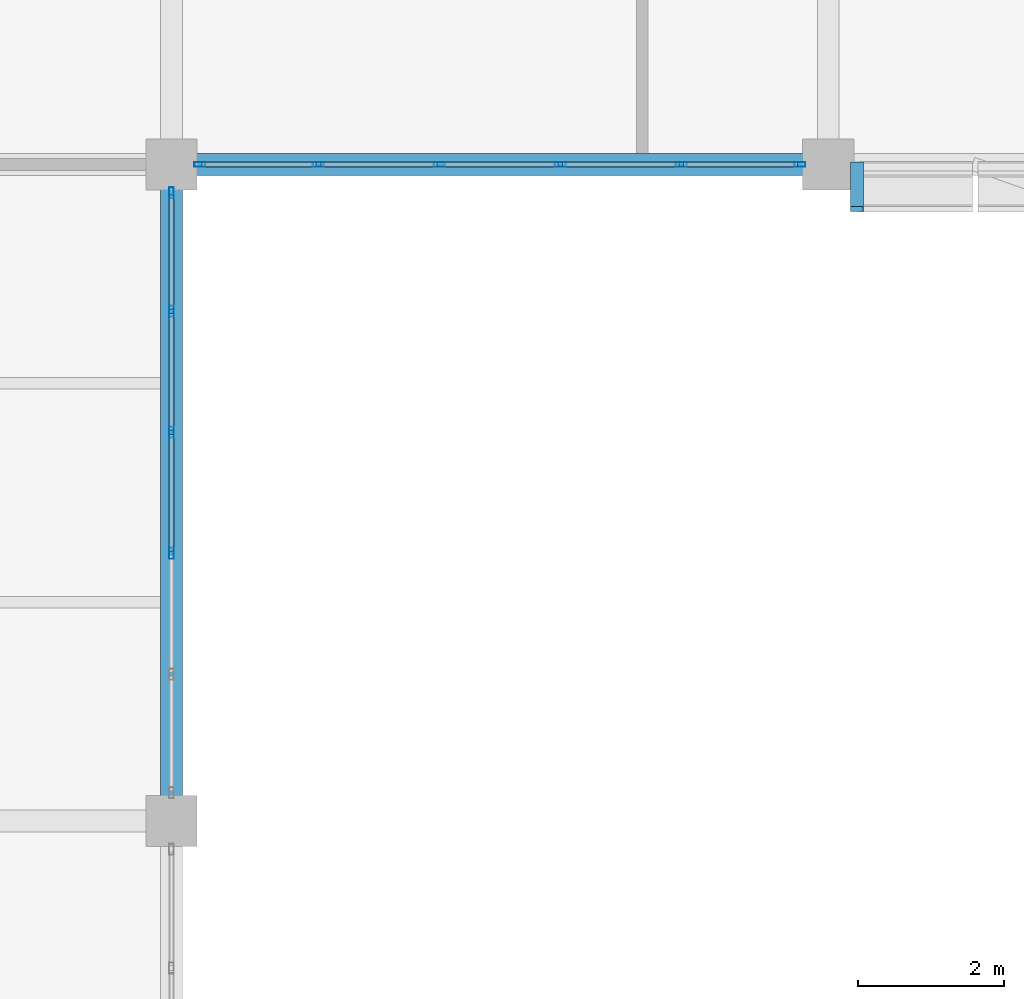
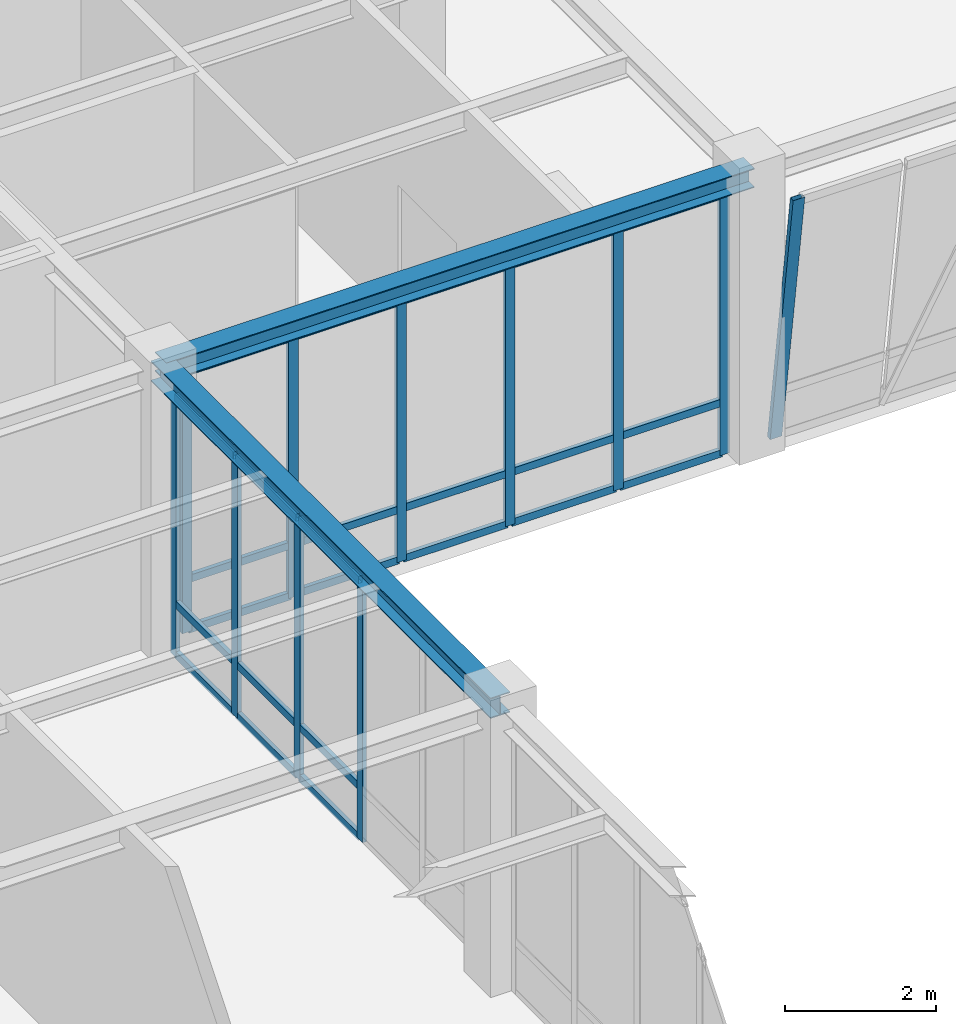
# One storey, part 25 of 98: 35 members, 2 beams, 3 elements without a shape of their own.
"""IFC4 building model written with IfcOpenShell, lengths in metres."""

from ifc_helpers import new_model, si_unit, direction, frame, origin, origin_2d, place, context, subcontext, project, spatial, hollow_rectangle, i_section, extrude, material, material_profile, profile_set, type_object, element, aggregate, save


model = new_model("IFC4")

# Units and contexts
model_context = context("Model", 3, precision=1e-05, world=origin(), true_north=direction((0.0, 1.0)))
body_context = subcontext(model_context, "Body", "Model", "MODEL_VIEW")
ifc_project = project(units=[si_unit("LENGTHUNIT", "METRE"), si_unit("AREAUNIT", "SQUARE_METRE"), si_unit("VOLUMEUNIT", "CUBIC_METRE"), si_unit("PLANEANGLEUNIT", "RADIAN"), si_unit("MASSUNIT", "GRAM", prefix="KILO")], contexts=[model_context])

# Site, building, storey
site_placement = place(None, origin())
site = spatial("IfcSite", under=ifc_project, at=site_placement, CompositionType="ELEMENT")
building_placement = place(site_placement, origin())
building = spatial("IfcBuilding", under=site, at=building_placement, Name="Lykobir Media Centre", CompositionType="ELEMENT")
storey_placement = place(building_placement, frame((0.0, 0.0, 10.199951171875)))
storey = spatial("IfcBuildingStorey", under=building, at=storey_placement, Name="L02", CompositionType="ELEMENT", Elevation=10.199951171875)

# Beam
ifc_material_1 = material(Name="Steel S355", Category="steel")
ifc_material_profile_1 = material_profile(ifc_material_1, i_section(OverallWidth=0.300048828125, OverallDepth=0.330078125, WebThickness=0.009521484375, FlangeThickness=0.0166015625, at=origin_2d()), Name="HEA 340")
ifc_profile_set_1 = profile_set([ifc_material_profile_1], Name="Steel S355")
beam_type_1 = type_object("IfcBeamType", Name="BM-HEA340", PredefinedType="BEAM", material=ifc_profile_set_1)
beam_1_placement = place(storey_placement, frame((36.0, 54.0, 4.39501953125), z_axis=(0.0, 1.0, 0.0), x_axis=(-1.0, 0.0, 0.0)))
element("IfcBeam", 1, at=beam_1_placement, inside=storey, type_object=beam_type_1, Name="Beam BM-L02-0360-0540-0360-0630-1460", PredefinedType="BEAM", context=body_context, shape_type="SweptSolid", body=[
    extrude(i_section(OverallWidth=0.300048828125, OverallDepth=0.330078125, WebThickness=0.009521484375, FlangeThickness=0.0166015625, at=origin_2d()), origin(), (0.0, 0.0, 1.0), 9.0),
])

# Curtain wall, members
ifc_material_2 = material(Name="Anodized Aluminium AW-6060", Category="aluminium")
curtain_wall_type_1 = type_object("IfcCurtainWallType", Name="CW-COURT-A", PredefinedType="NOTDEFINED", material=ifc_material_2)
curtain_wall_1_placement = place(storey_placement, origin())
curtain_wall_1 = element("IfcCurtainWall", 2, at=curtain_wall_1_placement, inside=storey, type_object=curtain_wall_type_1, Name="Curtain wall CW2-L02-0081", PredefinedType="NOTDEFINED")
ifc_material_profile_2 = material_profile(ifc_material_2, hollow_rectangle(XDim=0.06494140625, YDim=0.14990234375, WallThickness=0.00341796875, at=origin_2d()), Name="ALU MULLION 65x150")
ifc_profile_set_2 = profile_set([ifc_material_profile_2], Name="Anodized Aluminium AW-6060")
member_type_1 = type_object("IfcMemberType", Name="CWM-150", PredefinedType="MULLION", material=ifc_profile_set_2)
member_1_placement = place(storey_placement, frame((36.0, 62.612548828125, 0.0), z_axis=(0.0, 0.0, 1.0), x_axis=(1.0, 0.0, 0.0)))
member_1 = element("IfcMember", 3, at=member_1_placement, type_object=member_type_1, Name="CW2-L02-0081 mullion 1", PredefinedType="MULLION", context=body_context, shape_type="SweptSolid", body=[
    extrude(hollow_rectangle(XDim=0.06494140625, YDim=0.14990234375, WallThickness=0.00341796875, at=origin_2d()), origin(), (0.0, 0.0, 1.0), 4.215087890625),
])
member_2_placement = place(storey_placement, frame((36.0, 60.987060546875, 0.0), z_axis=(0.0, 0.0, 1.0), x_axis=(1.0, 0.0, 0.0)))
member_2 = element("IfcMember", 4, at=member_2_placement, type_object=member_type_1, Name="CW2-L02-0081 mullion 2", PredefinedType="MULLION", context=body_context, shape_type="SweptSolid", body=[
    extrude(hollow_rectangle(XDim=0.06494140625, YDim=0.14990234375, WallThickness=0.00341796875, at=origin_2d()), origin(), (0.0, 0.0, 1.0), 4.215087890625),
])
member_3_placement = place(storey_placement, frame((36.0, 59.3291015625, 0.0), z_axis=(0.0, 0.0, 1.0), x_axis=(1.0, 0.0, 0.0)))
member_3 = element("IfcMember", 5, at=member_3_placement, type_object=member_type_1, Name="CW2-L02-0081 mullion 3", PredefinedType="MULLION", context=body_context, shape_type="SweptSolid", body=[
    extrude(hollow_rectangle(XDim=0.06494140625, YDim=0.14990234375, WallThickness=0.00341796875, at=origin_2d()), origin(), (0.0, 0.0, 1.0), 4.215087890625),
])
member_4_placement = place(storey_placement, frame((36.0, 57.6708984375, 0.0), z_axis=(0.0, 0.0, 1.0), x_axis=(1.0, 0.0, 0.0)))
member_4 = element("IfcMember", 6, at=member_4_placement, type_object=member_type_1, Name="CW2-L02-0081 mullion 4", PredefinedType="MULLION", context=body_context, shape_type="SweptSolid", body=[
    extrude(hollow_rectangle(XDim=0.06494140625, YDim=0.14990234375, WallThickness=0.00341796875, at=origin_2d()), origin(), (0.0, 0.0, 1.0), 4.215087890625),
])

curtain_wall_2_placement = place(storey_placement, origin())
curtain_wall_2 = element("IfcCurtainWall", 7, at=curtain_wall_2_placement, inside=storey, type_object=curtain_wall_type_1, Name="Curtain wall CW2-L02-0082", PredefinedType="NOTDEFINED")
member_5_placement = place(storey_placement, frame((44.612548828125, 63.0, 0.0), z_axis=(0.0, 0.0, 1.0), x_axis=(0.0, -1.0, 0.0)))
member_5 = element("IfcMember", 8, at=member_5_placement, type_object=member_type_1, Name="CW2-L02-0082 mullion 1", PredefinedType="MULLION", context=body_context, shape_type="SweptSolid", body=[
    extrude(hollow_rectangle(XDim=0.06494140625, YDim=0.14990234375, WallThickness=0.00341796875, at=origin_2d()), origin(), (0.0, 0.0, 1.0), 4.235107421875),
])
member_6_placement = place(storey_placement, frame((42.987060546875, 63.0, 0.0), z_axis=(0.0, 0.0, 1.0), x_axis=(0.0, -1.0, 0.0)))
member_6 = element("IfcMember", 9, at=member_6_placement, type_object=member_type_1, Name="CW2-L02-0082 mullion 2", PredefinedType="MULLION", context=body_context, shape_type="SweptSolid", body=[
    extrude(hollow_rectangle(XDim=0.06494140625, YDim=0.14990234375, WallThickness=0.00341796875, at=origin_2d()), origin(), (0.0, 0.0, 1.0), 4.235107421875),
])
member_7_placement = place(storey_placement, frame((41.3291015625, 63.0, 0.0), z_axis=(0.0, 0.0, 1.0), x_axis=(0.0, -1.0, 0.0)))
member_7 = element("IfcMember", 10, at=member_7_placement, type_object=member_type_1, Name="CW2-L02-0082 mullion 3", PredefinedType="MULLION", context=body_context, shape_type="SweptSolid", body=[
    extrude(hollow_rectangle(XDim=0.06494140625, YDim=0.14990234375, WallThickness=0.00341796875, at=origin_2d()), origin(), (0.0, 0.0, 1.0), 4.235107421875),
])
member_8_placement = place(storey_placement, frame((39.6708984375, 63.0, 0.0), z_axis=(0.0, 0.0, 1.0), x_axis=(0.0, -1.0, 0.0)))
member_8 = element("IfcMember", 11, at=member_8_placement, type_object=member_type_1, Name="CW2-L02-0082 mullion 4", PredefinedType="MULLION", context=body_context, shape_type="SweptSolid", body=[
    extrude(hollow_rectangle(XDim=0.06494140625, YDim=0.14990234375, WallThickness=0.00341796875, at=origin_2d()), origin(), (0.0, 0.0, 1.0), 4.235107421875),
])
member_9_placement = place(storey_placement, frame((38.012939453125, 63.0, 0.0), z_axis=(0.0, 0.0, 1.0), x_axis=(0.0, -1.0, 0.0)))
member_9 = element("IfcMember", 12, at=member_9_placement, type_object=member_type_1, Name="CW2-L02-0082 mullion 5", PredefinedType="MULLION", context=body_context, shape_type="SweptSolid", body=[
    extrude(hollow_rectangle(XDim=0.06494140625, YDim=0.14990234375, WallThickness=0.00341796875, at=origin_2d()), origin(), (0.0, 0.0, 1.0), 4.235107421875),
])
member_10_placement = place(storey_placement, frame((36.387451171875, 63.0, 0.0), z_axis=(0.0, 0.0, 1.0), x_axis=(0.0, -1.0, 0.0)))
member_10 = element("IfcMember", 13, at=member_10_placement, type_object=member_type_1, Name="CW2-L02-0082 mullion 6", PredefinedType="MULLION", context=body_context, shape_type="SweptSolid", body=[
    extrude(hollow_rectangle(XDim=0.06494140625, YDim=0.14990234375, WallThickness=0.00341796875, at=origin_2d()), origin(), (0.0, 0.0, 1.0), 4.235107421875),
])

# Curtain wall, member
curtain_wall_type_2 = type_object("IfcCurtainWallType", Name="CW-V6-CR2", PredefinedType="NOTDEFINED", material=ifc_material_2)
curtain_wall_3_placement = place(storey_placement, origin())
curtain_wall_3 = element("IfcCurtainWall", 14, at=curtain_wall_3_placement, inside=storey, type_object=curtain_wall_type_2, Name="Curtain wall CW2-L02-0083", PredefinedType="NOTDEFINED")
ifc_material_profile_3 = material_profile(ifc_material_2, hollow_rectangle(XDim=0.074951171875, YDim=0.179931640625, WallThickness=0.00390625, at=origin_2d()), Name="ALU MULLION 75x180")
ifc_profile_set_3 = profile_set([ifc_material_profile_3], Name="Anodized Aluminium AW-6060")
member_type_2 = type_object("IfcMemberType", Name="CWM-180", PredefinedType="MULLION", material=ifc_profile_set_3)
member_11_placement = place(storey_placement, frame((45.392578125, 63.0, 0.0), z_axis=(0.0, -0.142643417261, 0.989774143687), x_axis=(0.0, 0.989774143687, 0.142643417261)))
member_11 = element("IfcMember", 15, at=member_11_placement, type_object=member_type_2, Name="CW2-L02-0083 mullion 1", PredefinedType="MULLION", context=body_context, shape_type="SweptSolid", body=[
    extrude(hollow_rectangle(XDim=0.074951171875, YDim=0.179931640625, WallThickness=0.00390625, at=origin_2d()), origin(), (0.0, 0.0, 1.0), 4.27880859375),
])
aggregate(curtain_wall_3, [member_11])

# Member
ifc_material_profile_4 = material_profile(ifc_material_2, hollow_rectangle(XDim=0.06494140625, YDim=0.1201171875, WallThickness=0.0029296875, at=origin_2d()), Name="ALU TRANSOM 65x120")
ifc_profile_set_4 = profile_set([ifc_material_profile_4], Name="Anodized Aluminium AW-6060")
member_type_3 = type_object("IfcMemberType", Name="CWT-120", PredefinedType="USERDEFINED", material=ifc_profile_set_4)
member_12_placement = place(storey_placement, frame((36.0, 62.580078125, 0.032470703125), z_axis=(0.0, -1.0, 0.0), x_axis=(1.0, 0.0, 0.0)))
member_12 = element("IfcMember", 16, at=member_12_placement, type_object=member_type_3, Name="CW2-L02-0081 transom 1.1", ObjectType="TRANSOM", PredefinedType="USERDEFINED", context=body_context, shape_type="SweptSolid", body=[
    extrude(hollow_rectangle(XDim=0.06494140625, YDim=0.1201171875, WallThickness=0.0029296875, at=origin_2d()), origin(), (0.0, 0.0, 1.0), 1.560546875),
])

member_13_placement = place(storey_placement, frame((36.0, 62.580078125, 0.85009765625), z_axis=(0.0, -1.0, 0.0), x_axis=(1.0, 0.0, 0.0)))
member_13 = element("IfcMember", 17, at=member_13_placement, type_object=member_type_3, Name="CW2-L02-0081 transom 1.2", ObjectType="TRANSOM", PredefinedType="USERDEFINED", context=body_context, shape_type="SweptSolid", body=[
    extrude(hollow_rectangle(XDim=0.06494140625, YDim=0.1201171875, WallThickness=0.0029296875, at=origin_2d()), origin(), (0.0, 0.0, 1.0), 1.560546875),
])

member_14_placement = place(storey_placement, frame((36.0, 62.580078125, 4.1826171875), z_axis=(0.0, -1.0, 0.0), x_axis=(1.0, 0.0, 0.0)))
member_14 = element("IfcMember", 18, at=member_14_placement, type_object=member_type_3, Name="CW2-L02-0081 transom 1.3", ObjectType="TRANSOM", PredefinedType="USERDEFINED", context=body_context, shape_type="SweptSolid", body=[
    extrude(hollow_rectangle(XDim=0.06494140625, YDim=0.1201171875, WallThickness=0.0029296875, at=origin_2d()), origin(), (0.0, 0.0, 1.0), 1.560546875),
])

member_15_placement = place(storey_placement, frame((36.0, 60.95458984375, 0.032470703125), z_axis=(0.0, -1.0, 0.0), x_axis=(1.0, 0.0, 0.0)))
member_15 = element("IfcMember", 19, at=member_15_placement, type_object=member_type_3, Name="CW2-L02-0081 transom 2.1", ObjectType="TRANSOM", PredefinedType="USERDEFINED", context=body_context, shape_type="SweptSolid", body=[
    extrude(hollow_rectangle(XDim=0.06494140625, YDim=0.1201171875, WallThickness=0.0029296875, at=origin_2d()), origin(), (0.0, 0.0, 1.0), 1.593017578125),
])

member_16_placement = place(storey_placement, frame((36.0, 60.95458984375, 0.85009765625), z_axis=(0.0, -1.0, 0.0), x_axis=(1.0, 0.0, 0.0)))
member_16 = element("IfcMember", 20, at=member_16_placement, type_object=member_type_3, Name="CW2-L02-0081 transom 2.2", ObjectType="TRANSOM", PredefinedType="USERDEFINED", context=body_context, shape_type="SweptSolid", body=[
    extrude(hollow_rectangle(XDim=0.06494140625, YDim=0.1201171875, WallThickness=0.0029296875, at=origin_2d()), origin(), (0.0, 0.0, 1.0), 1.593017578125),
])

member_17_placement = place(storey_placement, frame((36.0, 60.95458984375, 4.1826171875), z_axis=(0.0, -1.0, 0.0), x_axis=(1.0, 0.0, 0.0)))
member_17 = element("IfcMember", 21, at=member_17_placement, type_object=member_type_3, Name="CW2-L02-0081 transom 2.3", ObjectType="TRANSOM", PredefinedType="USERDEFINED", context=body_context, shape_type="SweptSolid", body=[
    extrude(hollow_rectangle(XDim=0.06494140625, YDim=0.1201171875, WallThickness=0.0029296875, at=origin_2d()), origin(), (0.0, 0.0, 1.0), 1.593017578125),
])

member_18_placement = place(storey_placement, frame((36.0, 59.29638671875, 0.032470703125), z_axis=(0.0, -1.0, 0.0), x_axis=(1.0, 0.0, 0.0)))
member_18 = element("IfcMember", 22, at=member_18_placement, type_object=member_type_3, Name="CW2-L02-0081 transom 3.1", ObjectType="TRANSOM", PredefinedType="USERDEFINED", context=body_context, shape_type="SweptSolid", body=[
    extrude(hollow_rectangle(XDim=0.06494140625, YDim=0.1201171875, WallThickness=0.0029296875, at=origin_2d()), origin(), (0.0, 0.0, 1.0), 1.5927734375),
])

member_19_placement = place(storey_placement, frame((36.0, 59.29638671875, 0.85009765625), z_axis=(0.0, -1.0, 0.0), x_axis=(1.0, 0.0, 0.0)))
member_19 = element("IfcMember", 23, at=member_19_placement, type_object=member_type_3, Name="CW2-L02-0081 transom 3.2", ObjectType="TRANSOM", PredefinedType="USERDEFINED", context=body_context, shape_type="SweptSolid", body=[
    extrude(hollow_rectangle(XDim=0.06494140625, YDim=0.1201171875, WallThickness=0.0029296875, at=origin_2d()), origin(), (0.0, 0.0, 1.0), 1.5927734375),
])

member_20_placement = place(storey_placement, frame((36.0, 59.29638671875, 4.1826171875), z_axis=(0.0, -1.0, 0.0), x_axis=(1.0, 0.0, 0.0)))
member_20 = element("IfcMember", 24, at=member_20_placement, type_object=member_type_3, Name="CW2-L02-0081 transom 3.3", ObjectType="TRANSOM", PredefinedType="USERDEFINED", context=body_context, shape_type="SweptSolid", body=[
    extrude(hollow_rectangle(XDim=0.06494140625, YDim=0.1201171875, WallThickness=0.0029296875, at=origin_2d()), origin(), (0.0, 0.0, 1.0), 1.5927734375),
])

aggregate(curtain_wall_1, [member_1, member_2, member_3, member_4, member_12, member_13, member_14, member_15, member_16, member_17, member_18, member_19, member_20])

member_21_placement = place(storey_placement, frame((44.580078125, 63.0, 0.032470703125), z_axis=(-1.0, 0.0, 0.0), x_axis=(0.0, -1.0, 0.0)))
member_21 = element("IfcMember", 25, at=member_21_placement, type_object=member_type_3, Name="CW2-L02-0082 transom 1.1", ObjectType="TRANSOM", PredefinedType="USERDEFINED", context=body_context, shape_type="SweptSolid", body=[
    extrude(hollow_rectangle(XDim=0.06494140625, YDim=0.1201171875, WallThickness=0.0029296875, at=origin_2d()), origin(), (0.0, 0.0, 1.0), 1.560546875),
])

member_22_placement = place(storey_placement, frame((44.580078125, 63.0, 0.85009765625), z_axis=(-1.0, 0.0, 0.0), x_axis=(0.0, -1.0, 0.0)))
member_22 = element("IfcMember", 26, at=member_22_placement, type_object=member_type_3, Name="CW2-L02-0082 transom 1.2", ObjectType="TRANSOM", PredefinedType="USERDEFINED", context=body_context, shape_type="SweptSolid", body=[
    extrude(hollow_rectangle(XDim=0.06494140625, YDim=0.1201171875, WallThickness=0.0029296875, at=origin_2d()), origin(), (0.0, 0.0, 1.0), 1.560546875),
])

member_23_placement = place(storey_placement, frame((44.580078125, 63.0, 4.20263671875), z_axis=(-1.0, 0.0, 0.0), x_axis=(0.0, -1.0, 0.0)))
member_23 = element("IfcMember", 27, at=member_23_placement, type_object=member_type_3, Name="CW2-L02-0082 transom 1.3", ObjectType="TRANSOM", PredefinedType="USERDEFINED", context=body_context, shape_type="SweptSolid", body=[
    extrude(hollow_rectangle(XDim=0.06494140625, YDim=0.1201171875, WallThickness=0.0029296875, at=origin_2d()), origin(), (0.0, 0.0, 1.0), 1.560546875),
])

member_24_placement = place(storey_placement, frame((42.95458984375, 63.0, 0.032470703125), z_axis=(-1.0, 0.0, 0.0), x_axis=(0.0, -1.0, 0.0)))
member_24 = element("IfcMember", 28, at=member_24_placement, type_object=member_type_3, Name="CW2-L02-0082 transom 2.1", ObjectType="TRANSOM", PredefinedType="USERDEFINED", context=body_context, shape_type="SweptSolid", body=[
    extrude(hollow_rectangle(XDim=0.06494140625, YDim=0.1201171875, WallThickness=0.0029296875, at=origin_2d()), origin(), (0.0, 0.0, 1.0), 1.593017578125),
])

member_25_placement = place(storey_placement, frame((42.95458984375, 63.0, 0.85009765625), z_axis=(-1.0, 0.0, 0.0), x_axis=(0.0, -1.0, 0.0)))
member_25 = element("IfcMember", 29, at=member_25_placement, type_object=member_type_3, Name="CW2-L02-0082 transom 2.2", ObjectType="TRANSOM", PredefinedType="USERDEFINED", context=body_context, shape_type="SweptSolid", body=[
    extrude(hollow_rectangle(XDim=0.06494140625, YDim=0.1201171875, WallThickness=0.0029296875, at=origin_2d()), origin(), (0.0, 0.0, 1.0), 1.593017578125),
])

member_26_placement = place(storey_placement, frame((42.95458984375, 63.0, 4.20263671875), z_axis=(-1.0, 0.0, 0.0), x_axis=(0.0, -1.0, 0.0)))
member_26 = element("IfcMember", 30, at=member_26_placement, type_object=member_type_3, Name="CW2-L02-0082 transom 2.3", ObjectType="TRANSOM", PredefinedType="USERDEFINED", context=body_context, shape_type="SweptSolid", body=[
    extrude(hollow_rectangle(XDim=0.06494140625, YDim=0.1201171875, WallThickness=0.0029296875, at=origin_2d()), origin(), (0.0, 0.0, 1.0), 1.593017578125),
])

member_27_placement = place(storey_placement, frame((41.29638671875, 63.0, 0.032470703125), z_axis=(-1.0, 0.0, 0.0), x_axis=(0.0, -1.0, 0.0)))
member_27 = element("IfcMember", 31, at=member_27_placement, type_object=member_type_3, Name="CW2-L02-0082 transom 3.1", ObjectType="TRANSOM", PredefinedType="USERDEFINED", context=body_context, shape_type="SweptSolid", body=[
    extrude(hollow_rectangle(XDim=0.06494140625, YDim=0.1201171875, WallThickness=0.0029296875, at=origin_2d()), origin(), (0.0, 0.0, 1.0), 1.5927734375),
])

member_28_placement = place(storey_placement, frame((41.29638671875, 63.0, 0.85009765625), z_axis=(-1.0, 0.0, 0.0), x_axis=(0.0, -1.0, 0.0)))
member_28 = element("IfcMember", 32, at=member_28_placement, type_object=member_type_3, Name="CW2-L02-0082 transom 3.2", ObjectType="TRANSOM", PredefinedType="USERDEFINED", context=body_context, shape_type="SweptSolid", body=[
    extrude(hollow_rectangle(XDim=0.06494140625, YDim=0.1201171875, WallThickness=0.0029296875, at=origin_2d()), origin(), (0.0, 0.0, 1.0), 1.5927734375),
])

member_29_placement = place(storey_placement, frame((41.29638671875, 63.0, 4.20263671875), z_axis=(-1.0, 0.0, 0.0), x_axis=(0.0, -1.0, 0.0)))
member_29 = element("IfcMember", 33, at=member_29_placement, type_object=member_type_3, Name="CW2-L02-0082 transom 3.3", ObjectType="TRANSOM", PredefinedType="USERDEFINED", context=body_context, shape_type="SweptSolid", body=[
    extrude(hollow_rectangle(XDim=0.06494140625, YDim=0.1201171875, WallThickness=0.0029296875, at=origin_2d()), origin(), (0.0, 0.0, 1.0), 1.5927734375),
])

member_30_placement = place(storey_placement, frame((39.638427734375, 63.0, 0.032470703125), z_axis=(-1.0, 0.0, 0.0), x_axis=(0.0, -1.0, 0.0)))
member_30 = element("IfcMember", 34, at=member_30_placement, type_object=member_type_3, Name="CW2-L02-0082 transom 4.1", ObjectType="TRANSOM", PredefinedType="USERDEFINED", context=body_context, shape_type="SweptSolid", body=[
    extrude(hollow_rectangle(XDim=0.06494140625, YDim=0.1201171875, WallThickness=0.0029296875, at=origin_2d()), origin(), (0.0, 0.0, 1.0), 1.593017578125),
])

member_31_placement = place(storey_placement, frame((39.638427734375, 63.0, 0.85009765625), z_axis=(-1.0, 0.0, 0.0), x_axis=(0.0, -1.0, 0.0)))
member_31 = element("IfcMember", 35, at=member_31_placement, type_object=member_type_3, Name="CW2-L02-0082 transom 4.2", ObjectType="TRANSOM", PredefinedType="USERDEFINED", context=body_context, shape_type="SweptSolid", body=[
    extrude(hollow_rectangle(XDim=0.06494140625, YDim=0.1201171875, WallThickness=0.0029296875, at=origin_2d()), origin(), (0.0, 0.0, 1.0), 1.593017578125),
])

member_32_placement = place(storey_placement, frame((39.638427734375, 63.0, 4.20263671875), z_axis=(-1.0, 0.0, 0.0), x_axis=(0.0, -1.0, 0.0)))
member_32 = element("IfcMember", 36, at=member_32_placement, type_object=member_type_3, Name="CW2-L02-0082 transom 4.3", ObjectType="TRANSOM", PredefinedType="USERDEFINED", context=body_context, shape_type="SweptSolid", body=[
    extrude(hollow_rectangle(XDim=0.06494140625, YDim=0.1201171875, WallThickness=0.0029296875, at=origin_2d()), origin(), (0.0, 0.0, 1.0), 1.593017578125),
])

member_33_placement = place(storey_placement, frame((37.98046875, 63.0, 0.032470703125), z_axis=(-1.0, 0.0, 0.0), x_axis=(0.0, -1.0, 0.0)))
member_33 = element("IfcMember", 37, at=member_33_placement, type_object=member_type_3, Name="CW2-L02-0082 transom 5.1", ObjectType="TRANSOM", PredefinedType="USERDEFINED", context=body_context, shape_type="SweptSolid", body=[
    extrude(hollow_rectangle(XDim=0.06494140625, YDim=0.1201171875, WallThickness=0.0029296875, at=origin_2d()), origin(), (0.0, 0.0, 1.0), 1.560546875),
])

member_34_placement = place(storey_placement, frame((37.98046875, 63.0, 0.85009765625), z_axis=(-1.0, 0.0, 0.0), x_axis=(0.0, -1.0, 0.0)))
member_34 = element("IfcMember", 38, at=member_34_placement, type_object=member_type_3, Name="CW2-L02-0082 transom 5.2", ObjectType="TRANSOM", PredefinedType="USERDEFINED", context=body_context, shape_type="SweptSolid", body=[
    extrude(hollow_rectangle(XDim=0.06494140625, YDim=0.1201171875, WallThickness=0.0029296875, at=origin_2d()), origin(), (0.0, 0.0, 1.0), 1.560546875),
])

member_35_placement = place(storey_placement, frame((37.98046875, 63.0, 4.20263671875), z_axis=(-1.0, 0.0, 0.0), x_axis=(0.0, -1.0, 0.0)))
member_35 = element("IfcMember", 39, at=member_35_placement, type_object=member_type_3, Name="CW2-L02-0082 transom 5.3", ObjectType="TRANSOM", PredefinedType="USERDEFINED", context=body_context, shape_type="SweptSolid", body=[
    extrude(hollow_rectangle(XDim=0.06494140625, YDim=0.1201171875, WallThickness=0.0029296875, at=origin_2d()), origin(), (0.0, 0.0, 1.0), 1.560546875),
])

aggregate(curtain_wall_2, [member_5, member_6, member_7, member_8, member_9, member_10, member_21, member_22, member_23, member_24, member_25, member_26, member_27, member_28, member_29, member_30, member_31, member_32, member_33, member_34, member_35])

# Beam
ifc_material_profile_5 = material_profile(ifc_material_1, i_section(OverallWidth=0.300048828125, OverallDepth=0.31005859375, WebThickness=0.009033203125, FlangeThickness=0.015380859375, at=origin_2d()), Name="HEA 320")
ifc_profile_set_5 = profile_set([ifc_material_profile_5], Name="Steel S355")
beam_type_2 = type_object("IfcBeamType", Name="SP-HEA320", PredefinedType="SPANDREL", material=ifc_profile_set_5)
beam_2_placement = place(storey_placement, frame((36.0, 63.0, 4.405029296875), z_axis=(1.0, 0.0, 0.0), x_axis=(0.0, 1.0, 0.0)))
element("IfcBeam", 40, at=beam_2_placement, inside=storey, type_object=beam_type_2, Name="Beam BM-L02-0360-0630-0450-0630-1460", PredefinedType="SPANDREL", context=body_context, shape_type="SweptSolid", body=[
    extrude(i_section(OverallWidth=0.300048828125, OverallDepth=0.31005859375, WebThickness=0.009033203125, FlangeThickness=0.015380859375, at=origin_2d()), origin(), (0.0, 0.0, 1.0), 9.0),
])

save(model, "model.ifc")
